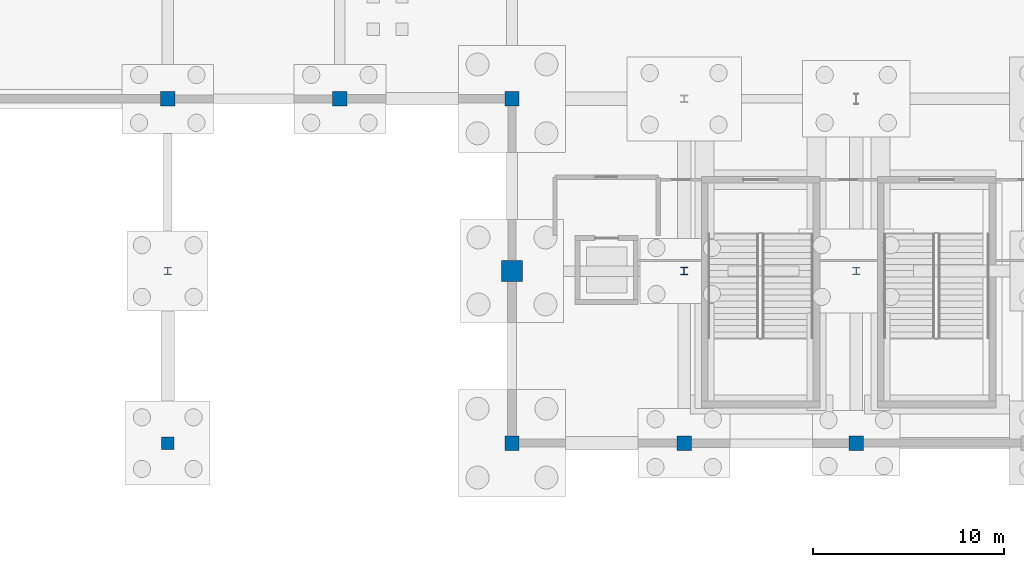
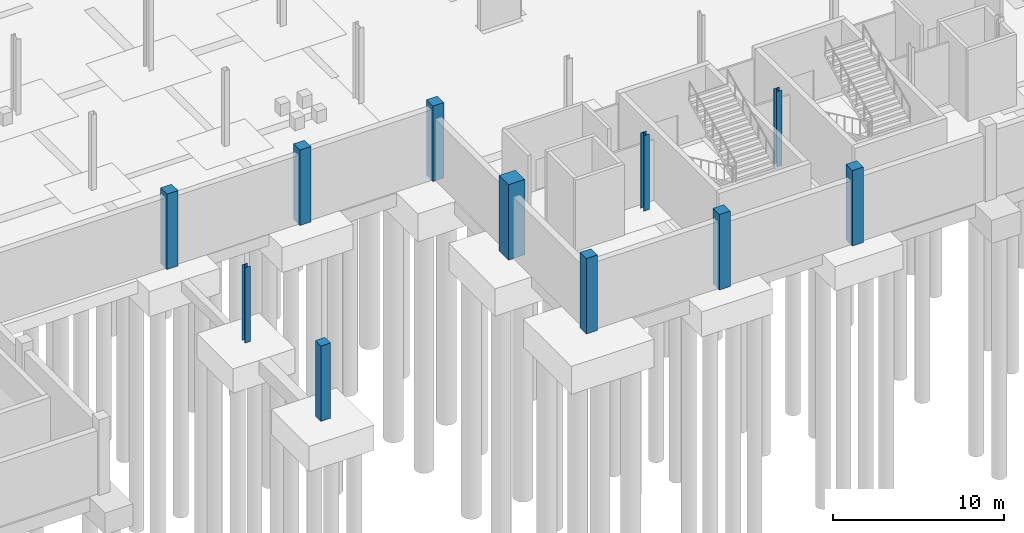
# One storey, part 26 of 58: 11 columns.
"""IFC4 building model written with IfcOpenShell, lengths in metres."""

from ifc_helpers import new_model, si_unit, direction, frame, origin, origin_2d, place, context, subcontext, project, spatial, rectangle, i_section, extrude, material, material_profile, profile_set, type_object, element, save


model = new_model("IFC4")

# Units and contexts
model_context = context("Model", 3, precision=1e-05, world=origin(), true_north=direction((0.0, 1.0)))
body_context = subcontext(model_context, "Body", "Model", "MODEL_VIEW")
ifc_project = project(units=[si_unit("LENGTHUNIT", "METRE"), si_unit("AREAUNIT", "SQUARE_METRE"), si_unit("VOLUMEUNIT", "CUBIC_METRE"), si_unit("PLANEANGLEUNIT", "RADIAN"), si_unit("MASSUNIT", "GRAM", prefix="KILO")], contexts=[model_context])

# Site, building, storey
site_placement = place(None, origin())
site = spatial("IfcSite", under=ifc_project, at=site_placement, CompositionType="ELEMENT")
building_placement = place(site_placement, origin())
building = spatial("IfcBuilding", under=site, at=building_placement, Name="Qamarlyn Nura Convention Centre", CompositionType="ELEMENT")
storey_placement = place(building_placement, frame((0.0, 0.0, -5.39990234375)))
storey = spatial("IfcBuildingStorey", under=building, at=storey_placement, Name="B01", CompositionType="ELEMENT", Elevation=-5.39990234375)

# Columns
ifc_material_1 = material(Name="Concrete C50/60", Category="concrete")
ifc_material_profile_1 = material_profile(ifc_material_1, rectangle(XDim=1.10009765625, YDim=1.10009765625, at=origin_2d()), Name="RC 1100x1100")
ifc_profile_set_1 = profile_set([ifc_material_profile_1], Name="Concrete C50/60")
column_type_1 = type_object("IfcColumnType", Name="COL-MEGA-2", PredefinedType="COLUMN", material=ifc_profile_set_1)
column_1_placement = place(storey_placement, frame((153.0, 9.0, 0.0), z_axis=(0.0, 0.0, 1.0), x_axis=(1.0, 0.0, 0.0)))
element("IfcColumn", 1, at=column_1_placement, inside=storey, type_object=column_type_1, Name="B01 column 13/B", PredefinedType="COLUMN", context=body_context, shape_type="SweptSolid", body=[
    extrude(rectangle(XDim=1.10009765625, YDim=1.10009765625, at=origin_2d()), origin(), (0.0, 0.0, 1.0), 5.39990234375),
])
ifc_material_profile_2 = material_profile(ifc_material_1, rectangle(XDim=0.75, YDim=0.75, at=origin_2d()), Name="RC 750x750")
ifc_profile_set_2 = profile_set([ifc_material_profile_2], Name="Concrete C50/60")
column_type_2 = type_object("IfcColumnType", Name="COL-SUB-2", PredefinedType="COLUMN", material=ifc_profile_set_2)
for number, where, z_axis, x_axis, name in (
    (2, (135.0, 18.0, 0.0), (0.0, 0.0, 1.0), (1.0, 0.0, 0.0), "B01 column 11/C"),
    (3, (144.0, 18.0, 0.0), (0.0, 0.0, 1.0), (1.0, 0.0, 0.0), "B01 column 12/C"),
    (4, (153.0, 0.0, 0.0), (0.0, 0.0, 1.0), (1.0, 0.0, 0.0), "B01 column 13/A"),
    (5, (153.0, 18.0, 0.0), (0.0, 0.0, 1.0), (1.0, 0.0, 0.0), "B01 column 13/C"),
    (6, (162.0, 0.0, 0.0), (0.0, 0.0, 1.0), (1.0, 0.0, 0.0), "B01 column 14/A"),
    (7, (171.0, 0.0, 0.0), (0.0, 0.0, 1.0), (1.0, 0.0, 0.0), "B01 column 15/A"),
):
    element("IfcColumn", number, at=place(storey_placement, frame(where, z_axis=z_axis, x_axis=x_axis)), inside=storey, type_object=column_type_2, Name=name, PredefinedType="COLUMN", context=body_context, shape_type="SweptSolid", body=[
        extrude(rectangle(XDim=0.75, YDim=0.75, at=origin_2d()), origin(), (0.0, 0.0, 1.0), 5.39990234375),
    ])
ifc_material_profile_3 = material_profile(ifc_material_1, rectangle(XDim=0.64990234375, YDim=0.64990234375, at=origin_2d()), Name="RC 650x650")
ifc_profile_set_3 = profile_set([ifc_material_profile_3], Name="Concrete C50/60")
column_type_3 = type_object("IfcColumnType", Name="COL-SUB-3", PredefinedType="COLUMN", material=ifc_profile_set_3)
column_2_placement = place(storey_placement, frame((135.0, 0.0, 0.0), z_axis=(0.0, 0.0, 1.0), x_axis=(1.0, 0.0, 0.0)))
element("IfcColumn", 8, at=column_2_placement, inside=storey, type_object=column_type_3, Name="B01 column 11/A", PredefinedType="COLUMN", context=body_context, shape_type="SweptSolid", body=[
    extrude(rectangle(XDim=0.64990234375, YDim=0.64990234375, at=origin_2d()), origin(), (0.0, 0.0, 1.0), 5.39990234375),
])
ifc_material_2 = material(Name="Steel ASTM A992", Category="steel")
ifc_material_profile_4 = material_profile(ifc_material_2, i_section(OverallWidth=0.3740234375, OverallDepth=0.3720703125, WebThickness=0.016357421875, FlangeThickness=0.026123046875, FilletRadius=0.01611328125, at=origin_2d()), Name="W360X196")
ifc_profile_set_4 = profile_set([ifc_material_profile_4], Name="Steel ASTM A992")
column_type_4 = type_object("IfcColumnType", Name="COL-WING-2", PredefinedType="COLUMN", material=ifc_profile_set_4)
column_3_placement = place(storey_placement, frame((162.0, 9.0, 0.0), z_axis=(0.0, 0.0, 1.0), x_axis=(1.0, 0.0, 0.0)))
element("IfcColumn", 9, at=column_3_placement, inside=storey, type_object=column_type_4, Name="B01 column 14/B", PredefinedType="COLUMN", context=body_context, shape_type="SweptSolid", body=[
    extrude(i_section(OverallWidth=0.3740234375, OverallDepth=0.3720703125, WebThickness=0.016357421875, FlangeThickness=0.026123046875, FilletRadius=0.01611328125, at=origin_2d()), origin(), (0.0, 0.0, 1.0), 5.39990234375),
])
ifc_material_profile_5 = material_profile(ifc_material_2, i_section(OverallWidth=0.368896484375, OverallDepth=0.35595703125, WebThickness=0.01123046875, FlangeThickness=0.01806640625, FilletRadius=0.014892578125, at=origin_2d()), Name="W360X134")
ifc_profile_set_5 = profile_set([ifc_material_profile_5], Name="Steel ASTM A992")
column_type_5 = type_object("IfcColumnType", Name="COL-WING-3", PredefinedType="COLUMN", material=ifc_profile_set_5)
for number, where, z_axis, x_axis, name in (
    (10, (135.0, 9.0, 0.0), (0.0, 0.0, 1.0), (1.0, 0.0, 0.0), "B01 column 11/B"),
    (11, (171.0, 9.0, 0.0), (0.0, 0.0, 1.0), (1.0, 0.0, 0.0), "B01 column 15/B"),
):
    element("IfcColumn", number, at=place(storey_placement, frame(where, z_axis=z_axis, x_axis=x_axis)), inside=storey, type_object=column_type_5, Name=name, PredefinedType="COLUMN", context=body_context, shape_type="SweptSolid", body=[
        extrude(i_section(OverallWidth=0.368896484375, OverallDepth=0.35595703125, WebThickness=0.01123046875, FlangeThickness=0.01806640625, FilletRadius=0.014892578125, at=origin_2d()), origin(), (0.0, 0.0, 1.0), 5.39990234375),
    ])

save(model, "model.ifc")
